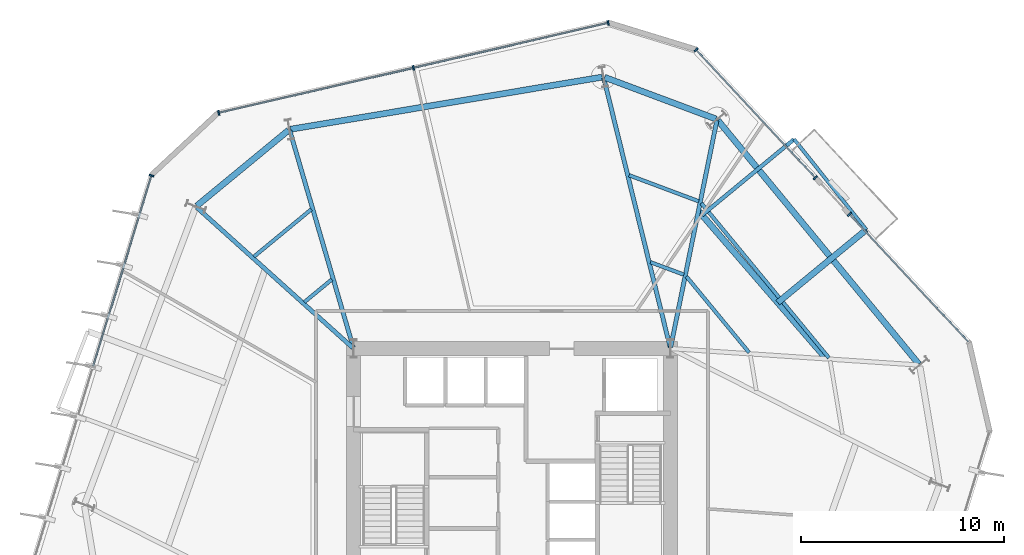
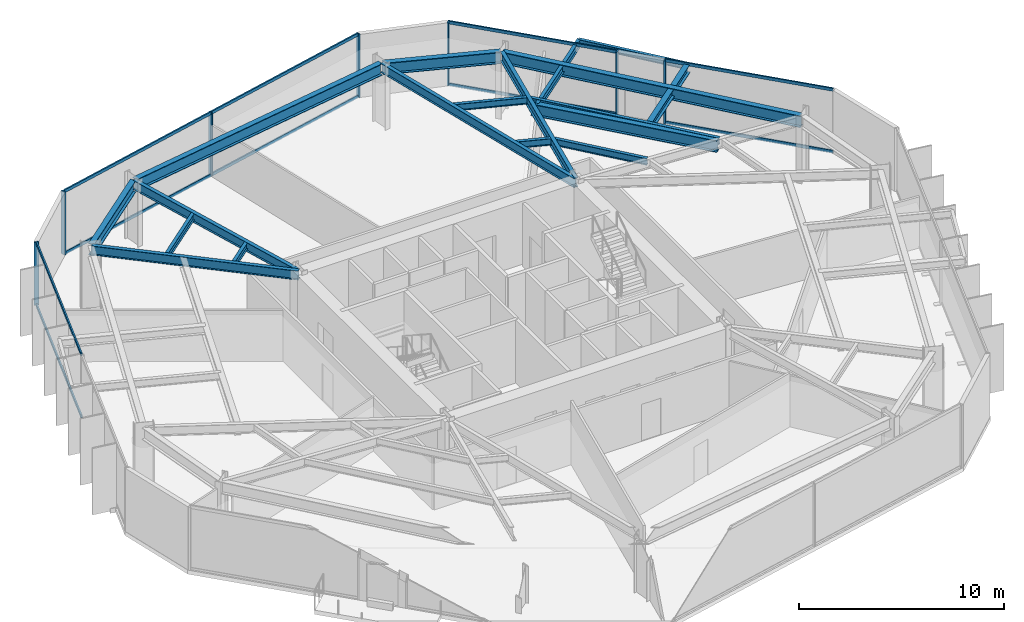
# One storey, part 4 of 10: 18 beams, 17 members, 4 elements without a shape of their own.
"""IFC4 building model written with IfcOpenShell, lengths in metres."""

from ifc_helpers import new_model, si_unit, direction, frame, origin, origin_2d, place, context, subcontext, project, spatial, rectangle, i_section, extrude, material, layer, layer_set, material_profile, profile_set, type_object, element, aggregate, save


model = new_model("IFC4")

# Units and contexts
model_context = context("Model", 3, precision=1e-05, world=origin(), true_north=direction((0.0, 1.0)))
body_context = subcontext(model_context, "Body", "Model", "MODEL_VIEW")
ifc_project = project(units=[si_unit("LENGTHUNIT", "METRE"), si_unit("AREAUNIT", "SQUARE_METRE"), si_unit("VOLUMEUNIT", "CUBIC_METRE"), si_unit("PLANEANGLEUNIT", "RADIAN"), si_unit("MASSUNIT", "GRAM", prefix="KILO")], contexts=[model_context])

# Site, building, storey
site_placement = place(None, origin())
site = spatial("IfcSite", under=ifc_project, at=site_placement, CompositionType="ELEMENT")
building_placement = place(site_placement, origin())
building = spatial("IfcBuilding", under=site, at=building_placement, Name="Kranzbogen Civic Tower", CompositionType="ELEMENT")
storey_placement = place(building_placement, frame((0.0, 0.0, 72.0)))
storey = spatial("IfcBuildingStorey", under=building, at=storey_placement, Name="L17", CompositionType="ELEMENT", Elevation=72.0)

# Beam
ifc_material_1 = material(Name="Steel S355", Category="steel")
ifc_material_profile_1 = material_profile(ifc_material_1, i_section(OverallWidth=0.18994140625, OverallDepth=0.449951171875, WebThickness=0.009521484375, FlangeThickness=0.0146484375, at=origin_2d()), Name="IPE 450")
ifc_profile_set_1 = profile_set([ifc_material_profile_1], Name="Steel S355")
beam_type_1 = type_object("IfcBeamType", Name="Braced Terrace Edge Beam IPE 450", PredefinedType="BEAM", material=ifc_profile_set_1)
beam_1_placement = place(storey_placement, frame((34.360107421875, 38.77001953125, 3.4951171875), z_axis=(0.771557986798, 0.636158999786, 0.0), x_axis=(-0.636158999786, 0.771557986798, 0.0)))
element("IfcBeam", 1, at=beam_1_placement, inside=storey, type_object=beam_type_1, Name="L18 back-spanned terrace beam L18-ST-2", PredefinedType="BEAM", context=body_context, shape_type="SweptSolid", body=[
    extrude(i_section(OverallWidth=0.18994140625, OverallDepth=0.449951171875, WebThickness=0.009521484375, FlangeThickness=0.0146484375, at=origin_2d()), origin(), (0.0, 0.0, 1.0), 5.870849609375),
])

# Curtain wall, member
ifc_material_2 = material(Name="Pale Anodised Aluminium", Category="aluminium")
ifc_layer = layer(ifc_material_2, 0.219970703125, Name="Pale Anodised Aluminium")
ifc_layer_set = layer_set([ifc_layer], Name="Pale Anodised Aluminium")
curtain_wall_type = type_object("IfcCurtainWallType", Name="Zone 1 Stick Curtain Wall System CW-02", PredefinedType="USERDEFINED", material=ifc_layer_set)
curtain_wall_1_placement = place(storey_placement, origin())
curtain_wall_1 = element("IfcCurtainWall", 2, at=curtain_wall_1_placement, inside=storey, type_object=curtain_wall_type, Name="L17 curtain wall CW-L17-F1-S1", ObjectType="STICK CURTAIN WALL", PredefinedType="USERDEFINED")
ifc_material_profile_2 = material_profile(ifc_material_2, rectangle(XDim=0.080078125, YDim=0.239990234375, at=origin_2d()), Name="ALU-M 80x240")
ifc_profile_set_2 = profile_set([ifc_material_profile_2], Name="Pale Anodised Aluminium")
member_type_1 = type_object("IfcMemberType", Name="Curtain Wall Mullion ALU-M 80x240", PredefinedType="MULLION", material=ifc_profile_set_2)
member_1_placement = place(storey_placement, frame((41.616455078125, 38.81298828125, 0.0), z_axis=(0.0, 0.0, 1.0), x_axis=(-0.681997701527, 0.731354315713, 0.0)))
member_1 = element("IfcMember", 3, at=member_1_placement, type_object=member_type_1, Name="CW-02 mullion 2", PredefinedType="MULLION", context=body_context, shape_type="SweptSolid", body=[
    extrude(rectangle(XDim=0.080078125, YDim=0.239990234375, at=origin_2d()), origin(), (0.0, 0.0, 1.0), 3.760009765625),
])

# Curtain wall, members
curtain_wall_2_placement = place(storey_placement, origin())
curtain_wall_2 = element("IfcCurtainWall", 4, at=curtain_wall_2_placement, inside=storey, type_object=curtain_wall_type, Name="L17 curtain wall CW-L17-F1-S2", ObjectType="STICK CURTAIN WALL", PredefinedType="USERDEFINED")
member_2_placement = place(storey_placement, frame((39.9384765625, 40.613037109375, 0.0), z_axis=(0.0, 0.0, 1.0), x_axis=(-0.681997701527, 0.731354315713, 0.0)))
member_2 = element("IfcMember", 5, at=member_2_placement, type_object=member_type_1, Name="CW-02 mullion 1", PredefinedType="MULLION", context=body_context, shape_type="SweptSolid", body=[
    extrude(rectangle(XDim=0.080078125, YDim=0.239990234375, at=origin_2d()), origin(), (0.0, 0.0, 1.0), 3.760009765625),
])
member_3_placement = place(storey_placement, frame((34.0654296875, 46.9111328125, 0.0), z_axis=(0.0, 0.0, 1.0), x_axis=(-0.681997701527, 0.731354315713, 0.0)))
member_3 = element("IfcMember", 6, at=member_3_placement, type_object=member_type_1, Name="CW-02 mullion 2", PredefinedType="MULLION", context=body_context, shape_type="SweptSolid", body=[
    extrude(rectangle(XDim=0.080078125, YDim=0.239990234375, at=origin_2d()), origin(), (0.0, 0.0, 1.0), 3.760009765625),
])

curtain_wall_3_placement = place(storey_placement, origin())
curtain_wall_3 = element("IfcCurtainWall", 7, at=curtain_wall_3_placement, inside=storey, type_object=curtain_wall_type, Name="L17 curtain wall CW-L17-F2", ObjectType="STICK CURTAIN WALL", PredefinedType="USERDEFINED")
member_4_placement = place(storey_placement, frame((29.73681640625, 48.234130859375, 0.0), z_axis=(0.0, 0.0, 1.0), x_axis=(-0.974363872797, -0.224977873109, 0.0)))
member_4 = element("IfcMember", 8, at=member_4_placement, type_object=member_type_1, Name="CW-02 mullion 1", PredefinedType="MULLION", context=body_context, shape_type="SweptSolid", body=[
    extrude(rectangle(XDim=0.080078125, YDim=0.239990234375, at=origin_2d()), origin(), (0.0, 0.0, 1.0), 3.760009765625),
])
member_5_placement = place(storey_placement, frame((20.14697265625, 46.02001953125, 0.0), z_axis=(0.0, 0.0, 1.0), x_axis=(-0.974363872797, -0.224977873109, 0.0)))
member_5 = element("IfcMember", 9, at=member_5_placement, type_object=member_type_1, Name="CW-02 mullion 2", PredefinedType="MULLION", context=body_context, shape_type="SweptSolid", body=[
    extrude(rectangle(XDim=0.080078125, YDim=0.239990234375, at=origin_2d()), origin(), (0.0, 0.0, 1.0), 3.760009765625),
])
member_6_placement = place(storey_placement, frame((10.55712890625, 43.8056640625, 0.0), z_axis=(0.0, 0.0, 1.0), x_axis=(-0.974363872797, -0.224977873109, 0.0)))
member_6 = element("IfcMember", 10, at=member_6_placement, type_object=member_type_1, Name="CW-02 mullion 3", PredefinedType="MULLION", context=body_context, shape_type="SweptSolid", body=[
    extrude(rectangle(XDim=0.080078125, YDim=0.239990234375, at=origin_2d()), origin(), (0.0, 0.0, 1.0), 3.760009765625),
])

# Curtain wall, member
curtain_wall_4_placement = place(storey_placement, origin())
curtain_wall_4 = element("IfcCurtainWall", 11, at=curtain_wall_4_placement, inside=storey, type_object=curtain_wall_type, Name="L17 curtain wall CW-L17-F3", ObjectType="STICK CURTAIN WALL", PredefinedType="USERDEFINED")
member_7_placement = place(storey_placement, frame((7.248291015625, 40.71923828125, 0.0), z_axis=(0.0, 0.0, 1.0), x_axis=(-0.292380656499, -0.956302019085, 0.0)))
member_7 = element("IfcMember", 12, at=member_7_placement, type_object=member_type_1, Name="CW-02 mullion 1", PredefinedType="MULLION", context=body_context, shape_type="SweptSolid", body=[
    extrude(rectangle(XDim=0.080078125, YDim=0.239990234375, at=origin_2d()), origin(), (0.0, 0.0, 1.0), 3.760009765625),
])

# Member
ifc_material_profile_3 = material_profile(ifc_material_2, rectangle(XDim=0.080078125, YDim=0.179931640625, at=origin_2d()), Name="ALU-T 80x180")
ifc_profile_set_3 = profile_set([ifc_material_profile_3], Name="Pale Anodised Aluminium")
member_type_2 = type_object("IfcMemberType", Name="Curtain Wall Transom ALU-T 80x180", PredefinedType="USERDEFINED", material=ifc_profile_set_3)
member_8_placement = place(storey_placement, frame((47.468994140625, 32.536865234375, 0.030029296875), z_axis=(-0.681994710967, 0.731357104439, 0.0), x_axis=(-0.731357104439, -0.681994710967, 0.0)))
member_8 = element("IfcMember", 13, at=member_8_placement, type_object=member_type_2, Name="CW-02 transom 1.1", ObjectType="TRANSOM", PredefinedType="USERDEFINED", context=body_context, shape_type="SweptSolid", body=[
    extrude(rectangle(XDim=0.080078125, YDim=0.179931640625, at=origin_2d()), origin(), (0.0, 0.0, 1.0), 8.551513671875),
])

member_9_placement = place(storey_placement, frame((47.468994140625, 32.536865234375, 3.72998046875), z_axis=(-0.681994710967, 0.731357104439, 0.0), x_axis=(-0.731357104439, -0.681994710967, 0.0)))
member_9 = element("IfcMember", 14, at=member_9_placement, type_object=member_type_2, Name="CW-02 transom 1.2", ObjectType="TRANSOM", PredefinedType="USERDEFINED", context=body_context, shape_type="SweptSolid", body=[
    extrude(rectangle(XDim=0.080078125, YDim=0.179931640625, at=origin_2d()), origin(), (0.0, 0.0, 1.0), 8.551513671875),
])

aggregate(curtain_wall_1, [member_1, member_8, member_9])

member_10_placement = place(storey_placement, frame((39.91796875, 40.634765625, 0.030029296875), z_axis=(-0.681980471079, 0.731370382958, 0.0), x_axis=(-0.731370382958, -0.681980471079, 0.0)))
member_10 = element("IfcMember", 15, at=member_10_placement, type_object=member_type_2, Name="CW-02 transom 1.1", ObjectType="TRANSOM", PredefinedType="USERDEFINED", context=body_context, shape_type="SweptSolid", body=[
    extrude(rectangle(XDim=0.080078125, YDim=0.179931640625, at=origin_2d()), origin(), (0.0, 0.0, 1.0), 8.551513671875),
])

member_11_placement = place(storey_placement, frame((39.91796875, 40.634765625, 3.72998046875), z_axis=(-0.681980471079, 0.731370382958, 0.0), x_axis=(-0.731370382958, -0.681980471079, 0.0)))
member_11 = element("IfcMember", 16, at=member_11_placement, type_object=member_type_2, Name="CW-02 transom 1.2", ObjectType="TRANSOM", PredefinedType="USERDEFINED", context=body_context, shape_type="SweptSolid", body=[
    extrude(rectangle(XDim=0.080078125, YDim=0.179931640625, at=origin_2d()), origin(), (0.0, 0.0, 1.0), 8.551513671875),
])

aggregate(curtain_wall_2, [member_2, member_3, member_10, member_11])

member_12_placement = place(storey_placement, frame((29.70751953125, 48.2275390625, 0.030029296875), z_axis=(-0.974365109305, -0.224972517809, 0.0), x_axis=(0.224972517809, -0.974365109305, 0.0)))
member_12 = element("IfcMember", 17, at=member_12_placement, type_object=member_type_2, Name="CW-02 transom 1.1", ObjectType="TRANSOM", PredefinedType="USERDEFINED", context=body_context, shape_type="SweptSolid", body=[
    extrude(rectangle(XDim=0.080078125, YDim=0.179931640625, at=origin_2d()), origin(), (0.0, 0.0, 1.0), 9.781982421875),
])

member_13_placement = place(storey_placement, frame((29.70751953125, 48.2275390625, 3.72998046875), z_axis=(-0.974365109305, -0.224972517809, 0.0), x_axis=(0.224972517809, -0.974365109305, 0.0)))
member_13 = element("IfcMember", 18, at=member_13_placement, type_object=member_type_2, Name="CW-02 transom 1.2", ObjectType="TRANSOM", PredefinedType="USERDEFINED", context=body_context, shape_type="SweptSolid", body=[
    extrude(rectangle(XDim=0.080078125, YDim=0.179931640625, at=origin_2d()), origin(), (0.0, 0.0, 1.0), 9.781982421875),
])

member_14_placement = place(storey_placement, frame((20.11767578125, 46.01318359375, 0.030029296875), z_axis=(-0.974365109305, -0.224972517809, 0.0), x_axis=(0.224972517809, -0.974365109305, 0.0)))
member_14 = element("IfcMember", 19, at=member_14_placement, type_object=member_type_2, Name="CW-02 transom 2.1", ObjectType="TRANSOM", PredefinedType="USERDEFINED", context=body_context, shape_type="SweptSolid", body=[
    extrude(rectangle(XDim=0.080078125, YDim=0.179931640625, at=origin_2d()), origin(), (0.0, 0.0, 1.0), 9.781982421875),
])

member_15_placement = place(storey_placement, frame((20.11767578125, 46.01318359375, 3.72998046875), z_axis=(-0.974365109305, -0.224972517809, 0.0), x_axis=(0.224972517809, -0.974365109305, 0.0)))
member_15 = element("IfcMember", 20, at=member_15_placement, type_object=member_type_2, Name="CW-02 transom 2.2", ObjectType="TRANSOM", PredefinedType="USERDEFINED", context=body_context, shape_type="SweptSolid", body=[
    extrude(rectangle(XDim=0.080078125, YDim=0.179931640625, at=origin_2d()), origin(), (0.0, 0.0, 1.0), 9.781982421875),
])

aggregate(curtain_wall_3, [member_4, member_5, member_6, member_12, member_13, member_14, member_15])

member_16_placement = place(storey_placement, frame((7.239501953125, 40.690673828125, 0.030029296875), z_axis=(-0.2923947963, -0.956297695854, 0.0), x_axis=(0.956297695854, -0.2923947963, 0.0)))
member_16 = element("IfcMember", 21, at=member_16_placement, type_object=member_type_2, Name="CW-02 transom 1.1", ObjectType="TRANSOM", PredefinedType="USERDEFINED", context=body_context, shape_type="SweptSolid", body=[
    extrude(rectangle(XDim=0.080078125, YDim=0.179931640625, at=origin_2d()), origin(), (0.0, 0.0, 1.0), 9.782470703125),
])

member_17_placement = place(storey_placement, frame((7.239501953125, 40.690673828125, 3.72998046875), z_axis=(-0.2923947963, -0.956297695854, 0.0), x_axis=(0.956297695854, -0.2923947963, 0.0)))
member_17 = element("IfcMember", 22, at=member_17_placement, type_object=member_type_2, Name="CW-02 transom 1.2", ObjectType="TRANSOM", PredefinedType="USERDEFINED", context=body_context, shape_type="SweptSolid", body=[
    extrude(rectangle(XDim=0.080078125, YDim=0.179931640625, at=origin_2d()), origin(), (0.0, 0.0, 1.0), 9.782470703125),
])

aggregate(curtain_wall_4, [member_7, member_16, member_17])

# Beams
ifc_material_profile_4 = material_profile(ifc_material_1, i_section(OverallWidth=0.300048828125, OverallDepth=0.5, WebThickness=0.014404296875, FlangeThickness=0.028076171875, at=origin_2d()), Name="HEB 500")
ifc_profile_set_4 = profile_set([ifc_material_profile_4], Name="Steel S355")
beam_type_2 = type_object("IfcBeamType", Name="Perimeter Tube Spandrel Beam HEB 500", PredefinedType="SPANDREL", material=ifc_profile_set_4)
beam_2_placement = place(storey_placement, frame((38.0859375, 34.4609375, 3.469970703125), z_axis=(0.771642047208, 0.636057034377, 0.0), x_axis=(-0.636057034377, 0.771642047208, 0.0)))
element("IfcBeam", 23, at=beam_2_placement, inside=storey, type_object=beam_type_2, Name="L18 back-spanned terrace beam L18-ST-1", PredefinedType="SPANDREL", context=body_context, shape_type="SweptSolid", body=[
    extrude(i_section(OverallWidth=0.300048828125, OverallDepth=0.5, WebThickness=0.014404296875, FlangeThickness=0.028076171875, at=origin_2d()), origin(), (0.0, 0.0, 1.0), 5.650390625),
])
ifc_material_profile_5 = material_profile(ifc_material_1, i_section(OverallWidth=0.300048828125, OverallDepth=0.699951171875, WebThickness=0.01708984375, FlangeThickness=0.031982421875, at=origin_2d()), Name="HEB 700")
ifc_profile_set_5 = profile_set([ifc_material_profile_5], Name="Steel S355")
beam_type_3 = type_object("IfcBeamType", Name="Perimeter Tube Spandrel Beam HEB 700", PredefinedType="SPANDREL", material=ifc_profile_set_5)
beam_3_placement = place(storey_placement, frame((45.033935546875, 31.431884765625, 3.409912109375), z_axis=(-0.636074572579, 0.771627590304, 0.0), x_axis=(-0.771627590304, -0.636074572579, 0.0)))
element("IfcBeam", 24, at=beam_3_placement, inside=storey, type_object=beam_type_3, Name="L17 perimeter spandrel beam 08", PredefinedType="SPANDREL", context=body_context, shape_type="SweptSolid", body=[
    extrude(i_section(OverallWidth=0.300048828125, OverallDepth=0.699951171875, WebThickness=0.01708984375, FlangeThickness=0.031982421875, at=origin_2d()), origin(), (0.0, 0.0, 1.0), 15.5595703125),
])
beam_4_placement = place(storey_placement, frame((35.04296875, 43.5048828125, 3.409912109375), z_axis=(-0.936647646965, 0.350273015568, 0.0), x_axis=(-0.350273015568, -0.936647646965, 0.0)))
element("IfcBeam", 25, at=beam_4_placement, inside=storey, type_object=beam_type_3, Name="L17 perimeter spandrel beam 09", PredefinedType="SPANDREL", context=body_context, shape_type="SweptSolid", body=[
    extrude(i_section(OverallWidth=0.300048828125, OverallDepth=0.699951171875, WebThickness=0.01708984375, FlangeThickness=0.031982421875, at=origin_2d()), origin(), (0.0, 0.0, 1.0), 5.852783203125),
])
beam_5_placement = place(storey_placement, frame((29.446044921875, 45.56591796875, 3.409912109375), z_axis=(-0.986285563243, -0.165047834697, 0.0), x_axis=(0.165047834697, -0.986285563243, 0.0)))
element("IfcBeam", 26, at=beam_5_placement, inside=storey, type_object=beam_type_3, Name="L17 perimeter spandrel beam 10", PredefinedType="SPANDREL", context=body_context, shape_type="SweptSolid", body=[
    extrude(i_section(OverallWidth=0.300048828125, OverallDepth=0.699951171875, WebThickness=0.01708984375, FlangeThickness=0.031982421875, at=origin_2d()), origin(), (0.0, 0.0, 1.0), 15.558349609375),
])
beam_6_placement = place(storey_placement, frame((13.99609375, 42.949951171875, 3.409912109375), z_axis=(-0.77168336865, -0.636006901337, 0.0), x_axis=(0.636006901337, -0.77168336865, 0.0)))
element("IfcBeam", 27, at=beam_6_placement, inside=storey, type_object=beam_type_3, Name="L17 perimeter spandrel beam 11", PredefinedType="SPANDREL", context=body_context, shape_type="SweptSolid", body=[
    extrude(i_section(OverallWidth=0.300048828125, OverallDepth=0.699951171875, WebThickness=0.01708984375, FlangeThickness=0.031982421875, at=origin_2d()), origin(), (0.0, 0.0, 1.0), 5.853515625),
])
beam_7_placement = place(storey_placement, frame((40.48193359375, 31.68994140625, 3.3701171875), z_axis=(-0.654072384898, 0.75643196344, 0.0), x_axis=(-0.75643196344, -0.654072384898, 0.0)))
element("IfcBeam", 28, at=beam_7_placement, inside=storey, type_object=beam_type_3, Name="L18 balcony back-span header girder L18-ST", PredefinedType="SPANDREL", context=body_context, shape_type="SweptSolid", body=[
    extrude(i_section(OverallWidth=0.300048828125, OverallDepth=0.699951171875, WebThickness=0.01708984375, FlangeThickness=0.031982421875, at=origin_2d()), origin(), (0.0, 0.0, 1.0), 9.633544921875),
])
ifc_material_profile_6 = material_profile(ifc_material_1, i_section(OverallWidth=0.2099609375, OverallDepth=0.550048828125, WebThickness=0.010986328125, FlangeThickness=0.01708984375, at=origin_2d()), Name="IPE 550")
ifc_profile_set_6 = profile_set([ifc_material_profile_6], Name="Steel S355")
beam_type_4 = type_object("IfcBeamType", Name="Radial Tower Floor Girder IPE 550", PredefinedType="BEAM", material=ifc_profile_set_6)
beam_8_placement = place(storey_placement, frame((35.0869140625, 43.425048828125, 3.485107421875), z_axis=(-0.199633433694, -0.979870650725, 0.0), x_axis=(0.979870650725, -0.199633433694, 0.0)))
element("IfcBeam", 29, at=beam_8_placement, inside=storey, type_object=beam_type_4, Name="L17 radial floor girder 09", PredefinedType="BEAM", context=body_context, shape_type="SweptSolid", body=[
    extrude(i_section(OverallWidth=0.2099609375, OverallDepth=0.550048828125, WebThickness=0.010986328125, FlangeThickness=0.01708984375, at=origin_2d()), origin(), (0.0, 0.0, 1.0), 11.3955078125),
])
beam_9_placement = place(storey_placement, frame((29.51904296875, 45.51806640625, 3.485107421875), z_axis=(0.239215348776, -0.970966537482, 0.0), x_axis=(0.970966537482, 0.239215348776, 0.0)))
element("IfcBeam", 30, at=beam_9_placement, inside=storey, type_object=beam_type_4, Name="L17 radial floor girder 10", PredefinedType="BEAM", context=body_context, shape_type="SweptSolid", body=[
    extrude(i_section(OverallWidth=0.2099609375, OverallDepth=0.550048828125, WebThickness=0.010986328125, FlangeThickness=0.01708984375, at=origin_2d()), origin(), (0.0, 0.0, 1.0), 13.656494140625),
])
beam_10_placement = place(storey_placement, frame((14.05908203125, 42.929931640625, 3.485107421875), z_axis=(0.280944131918, -0.959724124288, 0.0), x_axis=(0.959724124288, 0.280944131918, 0.0)))
element("IfcBeam", 31, at=beam_10_placement, inside=storey, type_object=beam_type_4, Name="L17 radial floor girder 11", PredefinedType="BEAM", context=body_context, shape_type="SweptSolid", body=[
    extrude(i_section(OverallWidth=0.2099609375, OverallDepth=0.550048828125, WebThickness=0.010986328125, FlangeThickness=0.01708984375, at=origin_2d()), origin(), (0.0, 0.0, 1.0), 11.11962890625),
])
beam_11_placement = place(storey_placement, frame((9.47802734375, 39.14892578125, 3.485107421875), z_axis=(0.743311776894, -0.668945141496, 0.0), x_axis=(0.668945141496, 0.743311776894, 0.0)))
element("IfcBeam", 32, at=beam_11_placement, inside=storey, type_object=beam_type_4, Name="L17 radial floor girder 12", PredefinedType="BEAM", context=body_context, shape_type="SweptSolid", body=[
    extrude(i_section(OverallWidth=0.2099609375, OverallDepth=0.550048828125, WebThickness=0.010986328125, FlangeThickness=0.01708984375, at=origin_2d()), origin(), (0.0, 0.0, 1.0), 10.328125),
])
ifc_material_profile_7 = material_profile(ifc_material_1, i_section(OverallWidth=0.169921875, OverallDepth=0.360107421875, WebThickness=0.008056640625, FlangeThickness=0.0126953125, at=origin_2d()), Name="IPE 360")
ifc_profile_set_7 = profile_set([ifc_material_profile_7], Name="Steel S355")
beam_type_5 = type_object("IfcBeamType", Name="Secondary Composite Floor Joist IPE 360", PredefinedType="JOIST", material=ifc_profile_set_7)
beam_12_placement = place(storey_placement, frame((42.446044921875, 38.054931640625, 3.5400390625), z_axis=(-0.624287277231, 0.781194851166, 0.0), x_axis=(-0.781194851166, -0.624287277231, 0.0)))
element("IfcBeam", 33, at=beam_12_placement, inside=storey, type_object=beam_type_5, Name="L18 terrace outer edge trimmer L18-ST", PredefinedType="JOIST", context=body_context, shape_type="SweptSolid", body=[
    extrude(i_section(OverallWidth=0.169921875, OverallDepth=0.360107421875, WebThickness=0.008056640625, FlangeThickness=0.0126953125, at=origin_2d()), origin(), (0.0, 0.0, 1.0), 5.6962890625),
])
ifc_material_profile_8 = material_profile(ifc_material_1, i_section(OverallWidth=0.179931640625, OverallDepth=0.39990234375, WebThickness=0.008544921875, FlangeThickness=0.013427734375, at=origin_2d()), Name="IPE 400")
ifc_profile_set_8 = profile_set([ifc_material_profile_8], Name="Steel S355")
beam_type_6 = type_object("IfcBeamType", Name="Secondary Composite Floor Joist IPE 400", PredefinedType="JOIST", material=ifc_profile_set_8)
beam_13_placement = place(storey_placement, frame((40.60302734375, 31.740966796875, 3.56005859375), z_axis=(-0.636094561772, 0.771611112209, 0.0), x_axis=(-0.771611112209, -0.636094561772, 0.0)))
element("IfcBeam", 34, at=beam_13_placement, inside=storey, type_object=beam_type_6, Name="L17 secondary floor joist 1.08", PredefinedType="JOIST", context=body_context, shape_type="SweptSolid", body=[
    extrude(i_section(OverallWidth=0.179931640625, OverallDepth=0.39990234375, WebThickness=0.008544921875, FlangeThickness=0.013427734375, at=origin_2d()), origin(), (0.0, 0.0, 1.0), 9.874267578125),
])
beam_14_placement = place(storey_placement, frame((36.676025390625, 32.0009765625, 3.56005859375), z_axis=(-0.636012010413, 0.771679157818, 0.0), x_axis=(-0.771679157818, -0.636012010413, 0.0)))
element("IfcBeam", 35, at=beam_14_placement, inside=storey, type_object=beam_type_6, Name="L17 secondary floor joist 2.08", PredefinedType="JOIST", context=body_context, shape_type="SweptSolid", body=[
    extrude(i_section(OverallWidth=0.179931640625, OverallDepth=0.39990234375, WebThickness=0.008544921875, FlangeThickness=0.013427734375, at=origin_2d()), origin(), (0.0, 0.0, 1.0), 4.85693359375),
])
beam_15_placement = place(storey_placement, frame((34.196044921875, 39.449951171875, 3.56005859375), z_axis=(-0.936622008794, 0.350341565678, 0.0), x_axis=(-0.350341565678, -0.936622008794, 0.0)))
element("IfcBeam", 36, at=beam_15_placement, inside=storey, type_object=beam_type_6, Name="L17 secondary floor joist 1.09", PredefinedType="JOIST", context=body_context, shape_type="SweptSolid", body=[
    extrude(i_section(OverallWidth=0.179931640625, OverallDepth=0.39990234375, WebThickness=0.008544921875, FlangeThickness=0.013427734375, at=origin_2d()), origin(), (0.0, 0.0, 1.0), 3.662109375),
])
beam_16_placement = place(storey_placement, frame((33.4609375, 35.839111328125, 3.56005859375), z_axis=(-0.936735458815, 0.350038112495, 0.0), x_axis=(-0.350038112495, -0.936735458815, 0.0)))
element("IfcBeam", 37, at=beam_16_placement, inside=storey, type_object=beam_type_6, Name="L17 secondary floor joist 2.09", PredefinedType="JOIST", context=body_context, shape_type="SweptSolid", body=[
    extrude(i_section(OverallWidth=0.179931640625, OverallDepth=0.39990234375, WebThickness=0.008544921875, FlangeThickness=0.013427734375, at=origin_2d()), origin(), (0.0, 0.0, 1.0), 1.750732421875),
])
beam_17_placement = place(storey_placement, frame((15.116943359375, 39.052978515625, 3.56005859375), z_axis=(-0.771712720426, -0.635971286406, 0.0), x_axis=(0.635971286406, -0.771712720426, 0.0)))
element("IfcBeam", 38, at=beam_17_placement, inside=storey, type_object=beam_type_6, Name="L17 secondary floor joist 1.11", PredefinedType="JOIST", context=body_context, shape_type="SweptSolid", body=[
    extrude(i_section(OverallWidth=0.179931640625, OverallDepth=0.39990234375, WebThickness=0.008544921875, FlangeThickness=0.013427734375, at=origin_2d()), origin(), (0.0, 0.0, 1.0), 3.661865234375),
])
beam_18_placement = place(storey_placement, frame((16.1279296875, 35.60107421875, 3.56005859375), z_axis=(-0.771773324836, -0.635897739477, 0.0), x_axis=(0.635897739477, -0.771773324836, 0.0)))
element("IfcBeam", 39, at=beam_18_placement, inside=storey, type_object=beam_type_6, Name="L17 secondary floor joist 2.11", PredefinedType="JOIST", context=body_context, shape_type="SweptSolid", body=[
    extrude(i_section(OverallWidth=0.179931640625, OverallDepth=0.39990234375, WebThickness=0.008544921875, FlangeThickness=0.013427734375, at=origin_2d()), origin(), (0.0, 0.0, 1.0), 1.751953125),
])

save(model, "model.ifc")
